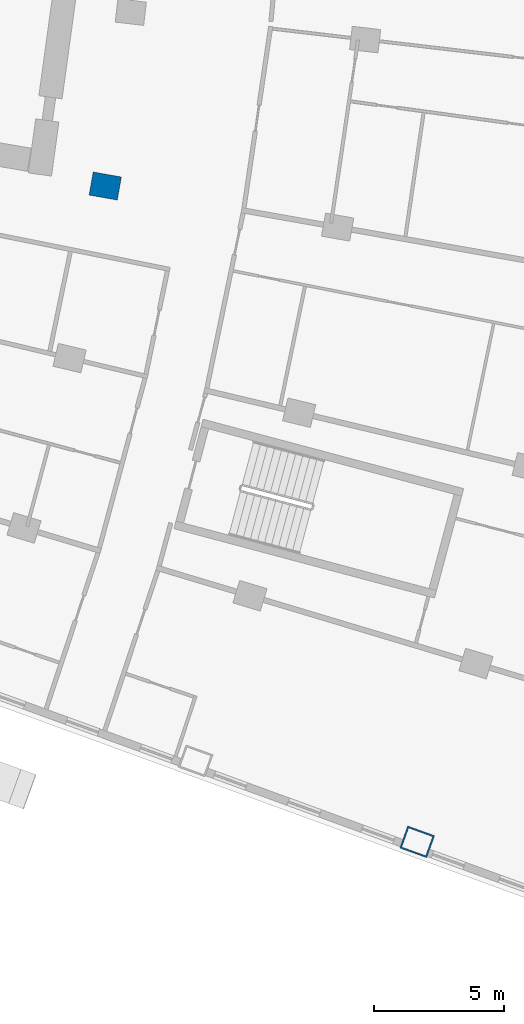
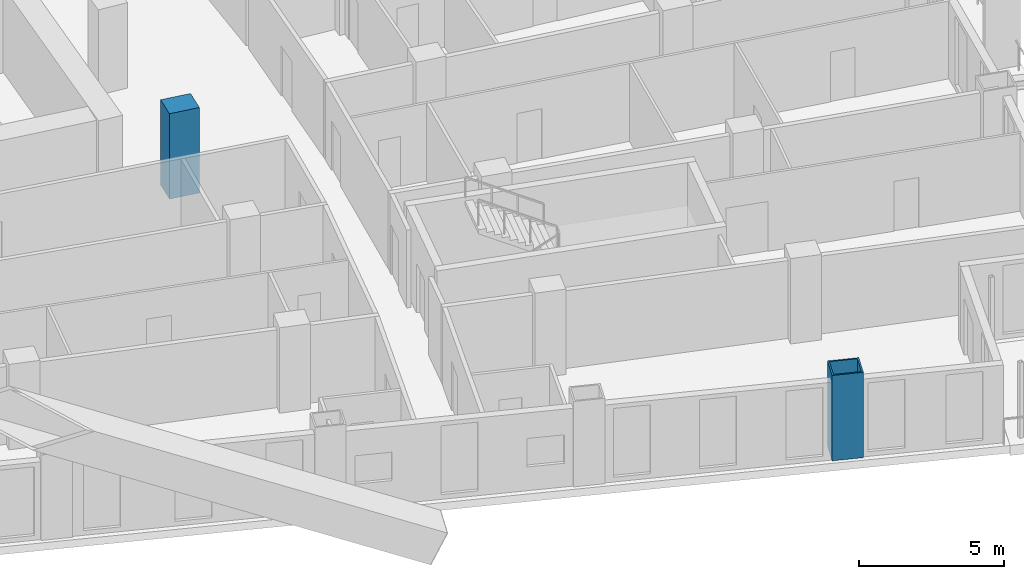
# One storey, part 4 of 25: 2 columns.
"""IFC4 building model written with IfcOpenShell, lengths in metres."""

from ifc_helpers import new_model, si_unit, direction, frame, origin, origin_2d, place, context, subcontext, project, spatial, rectangle, hollow_rectangle, extrude, material, material_profile, profile_set, type_object, element, save


model = new_model("IFC4")

# Units and contexts
model_context = context("Model", 3, precision=1e-05, world=origin(), true_north=direction((0.0, 1.0)))
body_context = subcontext(model_context, "Body", "Model", "MODEL_VIEW")
ifc_project = project(units=[si_unit("LENGTHUNIT", "METRE"), si_unit("AREAUNIT", "SQUARE_METRE"), si_unit("VOLUMEUNIT", "CUBIC_METRE"), si_unit("PLANEANGLEUNIT", "RADIAN"), si_unit("MASSUNIT", "GRAM", prefix="KILO")], contexts=[model_context])

# Site, building, storey
site_placement = place(None, origin())
site = spatial("IfcSite", under=ifc_project, at=site_placement, CompositionType="ELEMENT")
building_placement = place(site_placement, origin())
building = spatial("IfcBuilding", under=site, at=building_placement, Name="Alderwake Tower", CompositionType="ELEMENT")
storey_placement = place(building_placement, frame((0.0, 0.0, 42.800048828125)))
storey = spatial("IfcBuildingStorey", under=building, at=storey_placement, Name="L09", CompositionType="ELEMENT", Elevation=42.800048828125)

# Columns
ifc_material_1 = material(Name="Steel ASTM A572 Grade 50 concrete filled C70/85", Category="concrete")
ifc_material_profile_1 = material_profile(ifc_material_1, hollow_rectangle(XDim=0.89990234375, YDim=1.10009765625, WallThickness=0.06005859375, at=origin_2d()), Name="BOX 1100X900X60")
ifc_profile_set_1 = profile_set([ifc_material_profile_1], Name="Steel ASTM A572 Grade 50 concrete filled C70/85")
column_type_1 = type_object("IfcColumnType", Name="End column Z1", PredefinedType="COLUMN", material=ifc_profile_set_1)
column_1_placement = place(storey_placement, frame((46.017822265625, 15.638671875, 0.0), z_axis=(0.0, 0.0, 1.0), x_axis=(0.338687013201, 0.940899095062, 0.0)))
element("IfcColumn", 1, at=column_1_placement, inside=storey, type_object=column_type_1, Name="Column R01-C4", PredefinedType="COLUMN", context=body_context, shape_type="SweptSolid", body=[
    extrude(hollow_rectangle(XDim=0.89990234375, YDim=1.10009765625, WallThickness=0.06005859375, at=origin_2d()), origin(), (0.0, 0.0, 1.0), 3.599853515625),
])
ifc_material_2 = material(Name="Concrete C70/85", Category="concrete")
ifc_material_profile_2 = material_profile(ifc_material_2, rectangle(XDim=0.89990234375, YDim=1.10009765625, at=origin_2d()), Name="RC 1100X900")
ifc_profile_set_2 = profile_set([ifc_material_profile_2], Name="Concrete C70/85")
column_type_2 = type_object("IfcColumnType", Name="Interior column Z1", PredefinedType="COLUMN", material=ifc_profile_set_2)
column_2_placement = place(storey_placement, frame((34.03125, 40.83837890625, 0.0), z_axis=(0.0, 0.0, 1.0), x_axis=(0.174108800747, 0.984726421654, 0.0)))
element("IfcColumn", 2, at=column_2_placement, inside=storey, type_object=column_type_2, Name="Column R04-C2", PredefinedType="COLUMN", context=body_context, shape_type="SweptSolid", body=[
    extrude(rectangle(XDim=0.89990234375, YDim=1.10009765625, at=origin_2d()), origin(), (0.0, 0.0, 1.0), 3.599853515625),
])

save(model, "model.ifc")
